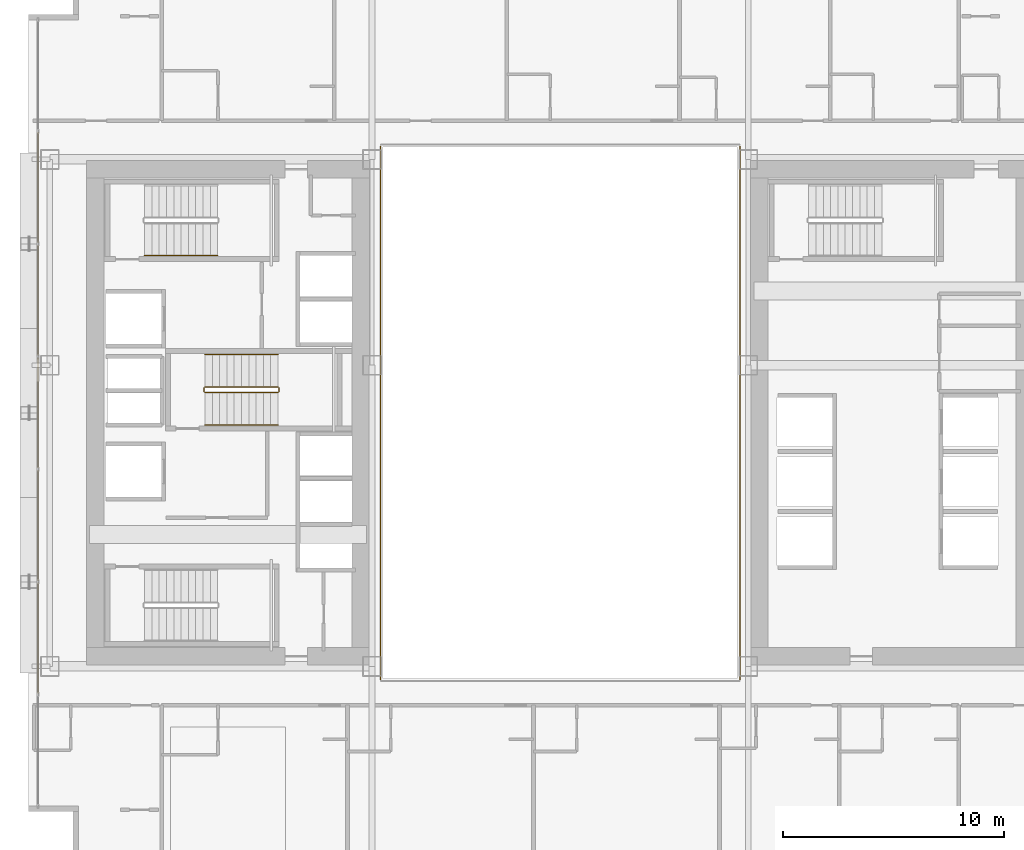
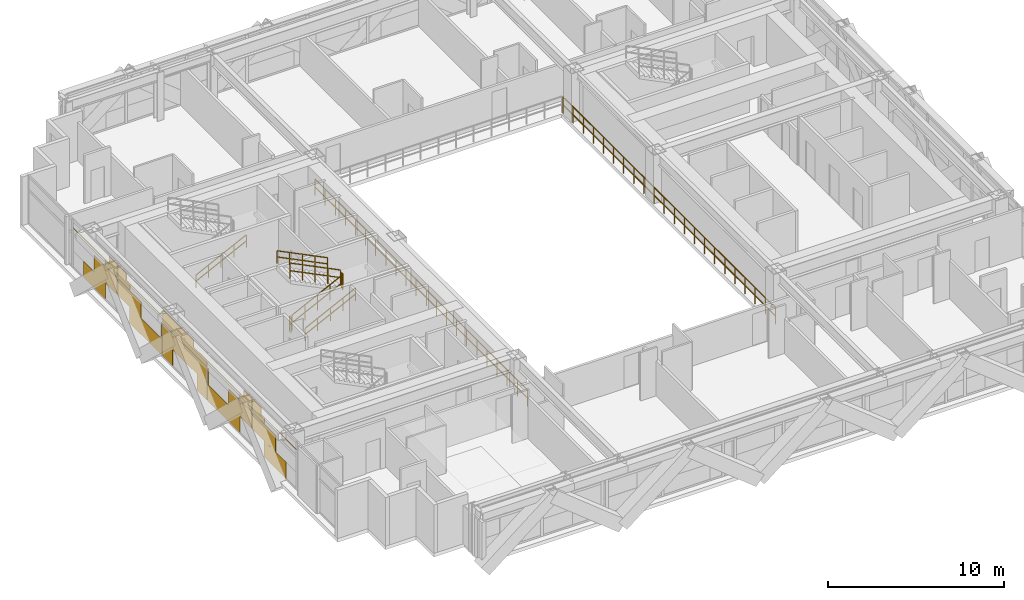
# One storey, part 33 of 35: 9 railings, 1 covering.
"""IFC4 building model written with IfcOpenShell, lengths in metres."""

from ifc_helpers import new_model, si_unit, direction, frame, origin, origin_2d, place, context, subcontext, project, spatial, rectangle, extrude, material, layer, layer_set, type_object, element, save


model = new_model("IFC4")

# Units and contexts
model_context = context("Model", 3, precision=1e-05, world=origin(), true_north=direction((0.0, 1.0)))
body_context = subcontext(model_context, "Body", "Model", "MODEL_VIEW")
ifc_project = project(units=[si_unit("LENGTHUNIT", "METRE"), si_unit("AREAUNIT", "SQUARE_METRE"), si_unit("VOLUMEUNIT", "CUBIC_METRE"), si_unit("PLANEANGLEUNIT", "RADIAN"), si_unit("MASSUNIT", "GRAM", prefix="KILO")], contexts=[model_context])

# Site, building, storey
site_placement = place(None, origin())
site = spatial("IfcSite", under=ifc_project, at=site_placement, CompositionType="ELEMENT")
building_placement = place(site_placement, origin())
building = spatial("IfcBuilding", under=site, at=building_placement, Name="Ocotamira Hotel", CompositionType="ELEMENT")
storey_placement = place(building_placement, frame((0.0, 0.0, 63.60009765625)))
storey = spatial("IfcBuildingStorey", under=building, at=storey_placement, Name="L15", CompositionType="ELEMENT", Elevation=63.60009765625)

# Covering
ifc_material_1 = material(Name="Insulated pale-metal aluminium spandrel panel", Category="aluminium")
ifc_layer = layer(ifc_material_1, 0.044921875)
ifc_layer_set = layer_set([ifc_layer], Name="Insulated pale-metal aluminium spandrel panel")
covering_type = type_object("IfcCoveringType", Name="COV-INFILL-45", PredefinedType="CLADDING", material=ifc_layer_set)
covering_placement = place(storey_placement, origin())
element("IfcCovering", 1, at=covering_placement, inside=storey, type_object=covering_type, Name="L15 Curtain Wall Infill CW-2 CW-L15-W", PredefinedType="CLADDING", context=body_context, shape_type="SweptSolid", body=[
    extrude(rectangle(XDim=2.49658203125, YDim=0.044921875, at=origin_2d()), frame((8.419921875, 15.752685546875, 0.0751953125), z_axis=(0.0, 0.0, 1.0), x_axis=(0.0, 1.0, 0.0)), (0.0, 0.0, 1.0), 1.117919921875),
    extrude(rectangle(XDim=2.640625, YDim=0.044921875, at=origin_2d()), frame((8.419921875, 17.010498046875, 1.194091796875), z_axis=(0.0, 0.0, 1.0), x_axis=(0.0, 1.0, 0.0)), (0.0, 0.0, 1.0), 1.11767578125),
    extrude(rectangle(XDim=5.004638671875, YDim=0.044921875, at=origin_2d()), frame((8.419921875, 15.82861328125, 2.755859375), z_axis=(0.0, 0.0, 1.0), x_axis=(0.0, 1.0, 0.0)), (0.0, 0.0, 1.0), 0.033203125),
    extrude(rectangle(XDim=1.375, YDim=0.044921875, at=origin_2d()), frame((8.419921875, 17.643310546875, 2.3876953125), z_axis=(0.0, 0.0, 1.0), x_axis=(0.0, 1.0, 0.0)), (0.0, 0.0, 1.0), 0.366943359375),
    extrude(rectangle(XDim=0.948486328125, YDim=0.044921875, at=origin_2d()), frame((8.419921875, 17.856689453125, 2.7900390625), z_axis=(0.0, 0.0, 1.0), x_axis=(0.0, 1.0, 0.0)), (0.0, 0.0, 1.0), 0.484130859375),
    extrude(rectangle(XDim=2.631103515625, YDim=0.044921875, at=origin_2d()), frame((8.419921875, 19.727294921875, 1.194091796875), z_axis=(0.0, 0.0, 1.0), x_axis=(0.0, 1.0, 0.0)), (0.0, 0.0, 1.0), 1.11767578125),
    extrude(rectangle(XDim=3.684326171875, YDim=0.044921875, at=origin_2d()), frame((8.419921875, 21.574462890625, 0.0751953125), z_axis=(0.0, 0.0, 1.0), x_axis=(0.0, 1.0, 0.0)), (0.0, 0.0, 1.0), 1.117919921875),
    extrude(rectangle(XDim=0.093017578125, YDim=0.044921875, at=origin_2d()), frame((8.419921875, 23.3701171875, 1.194091796875), z_axis=(0.0, 0.0, 1.0), x_axis=(0.0, 1.0, 0.0)), (0.0, 0.0, 1.0), 1.11767578125),
    extrude(rectangle(XDim=1.365478515625, YDim=0.044921875, at=origin_2d()), frame((8.419921875, 19.094482421875, 2.3876953125), z_axis=(0.0, 0.0, 1.0), x_axis=(0.0, 1.0, 0.0)), (0.0, 0.0, 1.0), 0.366943359375),
    extrude(rectangle(XDim=5.004638671875, YDim=0.044921875, at=origin_2d()), frame((8.419921875, 20.914306640625, 2.755859375), z_axis=(0.0, 0.0, 1.0), x_axis=(0.0, 1.0, 0.0)), (0.0, 0.0, 1.0), 0.033203125),
    extrude(rectangle(XDim=0.93896484375, YDim=0.044921875, at=origin_2d()), frame((8.419921875, 18.88134765625, 2.7900390625), z_axis=(0.0, 0.0, 1.0), x_axis=(0.0, 1.0, 0.0)), (0.0, 0.0, 1.0), 0.484130859375),
    extrude(rectangle(XDim=1.13671875, YDim=0.044921875, at=origin_2d()), frame((8.419921875, 24.06591796875, 0.0751953125), z_axis=(0.0, 0.0, 1.0), x_axis=(0.0, 1.0, 0.0)), (0.0, 0.0, 1.0), 1.117919921875),
    extrude(rectangle(XDim=5.004638671875, YDim=0.044921875, at=origin_2d()), frame((8.419921875, 26.0, 1.194091796875), z_axis=(0.0, 0.0, 1.0), x_axis=(0.0, 1.0, 0.0)), (0.0, 0.0, 1.0), 1.11767578125),
    extrude(rectangle(XDim=1.13671875, YDim=0.044921875, at=origin_2d()), frame((8.419921875, 27.93408203125, 0.0751953125), z_axis=(0.0, 0.0, 1.0), x_axis=(0.0, 1.0, 0.0)), (0.0, 0.0, 1.0), 1.117919921875),
    extrude(rectangle(XDim=5.004638671875, YDim=0.044921875, at=origin_2d()), frame((8.419921875, 26.0, 2.387939453125), z_axis=(0.0, 0.0, 1.0), x_axis=(0.0, 1.0, 0.0)), (0.0, 0.0, 1.0), 0.4013671875),
    extrude(rectangle(XDim=3.486572265625, YDim=0.044921875, at=origin_2d()), frame((8.419921875, 26.759033203125, 2.7900390625), z_axis=(0.0, 0.0, 1.0), x_axis=(0.0, 1.0, 0.0)), (0.0, 0.0, 1.0), 0.484130859375),
    extrude(rectangle(XDim=3.684326171875, YDim=0.044921875, at=origin_2d()), frame((8.419921875, 30.425537109375, 0.0751953125), z_axis=(0.0, 0.0, 1.0), x_axis=(0.0, 1.0, 0.0)), (0.0, 0.0, 1.0), 1.117919921875),
    extrude(rectangle(XDim=0.093017578125, YDim=0.044921875, at=origin_2d()), frame((8.419921875, 28.6298828125, 1.194091796875), z_axis=(0.0, 0.0, 1.0), x_axis=(0.0, 1.0, 0.0)), (0.0, 0.0, 1.0), 1.11767578125),
    extrude(rectangle(XDim=2.631103515625, YDim=0.044921875, at=origin_2d()), frame((8.419921875, 32.272705078125, 1.194091796875), z_axis=(0.0, 0.0, 1.0), x_axis=(0.0, 1.0, 0.0)), (0.0, 0.0, 1.0), 1.11767578125),
    extrude(rectangle(XDim=5.004638671875, YDim=0.044921875, at=origin_2d()), frame((8.419921875, 31.085693359375, 2.755859375), z_axis=(0.0, 0.0, 1.0), x_axis=(0.0, 1.0, 0.0)), (0.0, 0.0, 1.0), 0.033203125),
    extrude(rectangle(XDim=1.365478515625, YDim=0.044921875, at=origin_2d()), frame((8.419921875, 32.905517578125, 2.3876953125), z_axis=(0.0, 0.0, 1.0), x_axis=(0.0, 1.0, 0.0)), (0.0, 0.0, 1.0), 0.366943359375),
    extrude(rectangle(XDim=0.93896484375, YDim=0.044921875, at=origin_2d()), frame((8.419921875, 33.11865234375, 2.7900390625), z_axis=(0.0, 0.0, 1.0), x_axis=(0.0, 1.0, 0.0)), (0.0, 0.0, 1.0), 0.484130859375),
    extrude(rectangle(XDim=2.640625, YDim=0.044921875, at=origin_2d()), frame((8.419921875, 34.989501953125, 1.194091796875), z_axis=(0.0, 0.0, 1.0), x_axis=(0.0, 1.0, 0.0)), (0.0, 0.0, 1.0), 1.11767578125),
    extrude(rectangle(XDim=2.49658203125, YDim=0.044921875, at=origin_2d()), frame((8.419921875, 36.247314453125, 0.0751953125), z_axis=(0.0, 0.0, 1.0), x_axis=(0.0, 1.0, 0.0)), (0.0, 0.0, 1.0), 1.117919921875),
    extrude(rectangle(XDim=1.375, YDim=0.044921875, at=origin_2d()), frame((8.419921875, 34.356689453125, 2.3876953125), z_axis=(0.0, 0.0, 1.0), x_axis=(0.0, 1.0, 0.0)), (0.0, 0.0, 1.0), 0.366943359375),
    extrude(rectangle(XDim=5.004638671875, YDim=0.044921875, at=origin_2d()), frame((8.419921875, 36.17138671875, 2.755859375), z_axis=(0.0, 0.0, 1.0), x_axis=(0.0, 1.0, 0.0)), (0.0, 0.0, 1.0), 0.033203125),
    extrude(rectangle(XDim=0.948486328125, YDim=0.044921875, at=origin_2d()), frame((8.419921875, 34.143310546875, 2.7900390625), z_axis=(0.0, 0.0, 1.0), x_axis=(0.0, 1.0, 0.0)), (0.0, 0.0, 1.0), 0.484130859375),
])

# Railings
ifc_material_2 = material(Name="Painted steel stair guardrail", Category="steel")
railing_type_1 = type_object("IfcRailingType", Name="RL-EDGE-1150", PredefinedType="GUARDRAIL", material=ifc_material_2)
railing_1_placement = place(storey_placement, frame((40.1201171875, 13.9599609375, 0.0)))
element("IfcRailing", 2, at=railing_1_placement, inside=storey, type_object=railing_type_1, Name="L15 Central Atrium Edge Guardrail E", PredefinedType="GUARDRAIL", context=body_context, shape_type="SweptSolid", body=[
    extrude(rectangle(XDim=0.048095703125, YDim=0.048095703125, at=origin_2d()), frame((0.0, 0.0, 1.1259765625), z_axis=(0.0, 1.0, 0.0), x_axis=(-1.0, 0.0, 0.0)), (0.0, 0.0, 1.0), 24.080078125),
    extrude(rectangle(XDim=0.048095703125, YDim=0.048095703125, at=origin_2d()), frame((0.0, 0.0, 0.574951171875), z_axis=(0.0, 1.0, 0.0), x_axis=(-1.0, 0.0, 0.0)), (0.0, 0.0, 1.0), 24.080078125),
    extrude(rectangle(XDim=0.0419921875, YDim=0.0419921875, at=origin_2d()), origin(), (0.0, 0.0, 1.0), 1.101806640625),
    extrude(rectangle(XDim=0.0419921875, YDim=0.0419921875, at=origin_2d()), frame((0.0, 1.146728515625, 0.0)), (0.0, 0.0, 1.0), 1.101806640625),
    extrude(rectangle(XDim=0.0419921875, YDim=0.0419921875, at=origin_2d()), frame((0.0, 2.29345703125, 0.0)), (0.0, 0.0, 1.0), 1.101806640625),
    extrude(rectangle(XDim=0.0419921875, YDim=0.0419921875, at=origin_2d()), frame((0.0, 3.43994140625, 0.0)), (0.0, 0.0, 1.0), 1.101806640625),
    extrude(rectangle(XDim=0.0419921875, YDim=0.0419921875, at=origin_2d()), frame((0.0, 4.586669921875, 0.0)), (0.0, 0.0, 1.0), 1.101806640625),
    extrude(rectangle(XDim=0.0419921875, YDim=0.0419921875, at=origin_2d()), frame((0.0, 5.7333984375, 0.0)), (0.0, 0.0, 1.0), 1.101806640625),
    extrude(rectangle(XDim=0.0419921875, YDim=0.0419921875, at=origin_2d()), frame((0.0, 6.880126953125, 0.0)), (0.0, 0.0, 1.0), 1.101806640625),
    extrude(rectangle(XDim=0.0419921875, YDim=0.0419921875, at=origin_2d()), frame((0.0, 8.026611328125, 0.0)), (0.0, 0.0, 1.0), 1.101806640625),
    extrude(rectangle(XDim=0.0419921875, YDim=0.0419921875, at=origin_2d()), frame((0.0, 9.17333984375, 0.0)), (0.0, 0.0, 1.0), 1.101806640625),
    extrude(rectangle(XDim=0.0419921875, YDim=0.0419921875, at=origin_2d()), frame((0.0, 10.320068359375, 0.0)), (0.0, 0.0, 1.0), 1.101806640625),
    extrude(rectangle(XDim=0.0419921875, YDim=0.0419921875, at=origin_2d()), frame((0.0, 11.466796875, 0.0)), (0.0, 0.0, 1.0), 1.101806640625),
    extrude(rectangle(XDim=0.0419921875, YDim=0.0419921875, at=origin_2d()), frame((0.0, 12.61328125, 0.0)), (0.0, 0.0, 1.0), 1.101806640625),
    extrude(rectangle(XDim=0.0419921875, YDim=0.0419921875, at=origin_2d()), frame((0.0, 13.760009765625, 0.0)), (0.0, 0.0, 1.0), 1.101806640625),
    extrude(rectangle(XDim=0.0419921875, YDim=0.0419921875, at=origin_2d()), frame((0.0, 14.90673828125, 0.0)), (0.0, 0.0, 1.0), 1.101806640625),
    extrude(rectangle(XDim=0.0419921875, YDim=0.0419921875, at=origin_2d()), frame((0.0, 16.053466796875, 0.0)), (0.0, 0.0, 1.0), 1.101806640625),
    extrude(rectangle(XDim=0.0419921875, YDim=0.0419921875, at=origin_2d()), frame((0.0, 17.199951171875, 0.0)), (0.0, 0.0, 1.0), 1.101806640625),
    extrude(rectangle(XDim=0.0419921875, YDim=0.0419921875, at=origin_2d()), frame((0.0, 18.3466796875, 0.0)), (0.0, 0.0, 1.0), 1.101806640625),
    extrude(rectangle(XDim=0.0419921875, YDim=0.0419921875, at=origin_2d()), frame((0.0, 19.493408203125, 0.0)), (0.0, 0.0, 1.0), 1.101806640625),
    extrude(rectangle(XDim=0.0419921875, YDim=0.0419921875, at=origin_2d()), frame((0.0, 20.64013671875, 0.0)), (0.0, 0.0, 1.0), 1.101806640625),
    extrude(rectangle(XDim=0.0419921875, YDim=0.0419921875, at=origin_2d()), frame((0.0, 21.78662109375, 0.0)), (0.0, 0.0, 1.0), 1.101806640625),
    extrude(rectangle(XDim=0.0419921875, YDim=0.0419921875, at=origin_2d()), frame((0.0, 22.933349609375, 0.0)), (0.0, 0.0, 1.0), 1.101806640625),
    extrude(rectangle(XDim=0.0419921875, YDim=0.0419921875, at=origin_2d()), frame((0.0, 24.080078125, 0.0)), (0.0, 0.0, 1.0), 1.101806640625),
])
railing_2_placement = place(storey_placement, frame((23.8798828125, 38.0400390625, 0.0)))
element("IfcRailing", 3, at=railing_2_placement, inside=storey, type_object=railing_type_1, Name="L15 Central Atrium Edge Guardrail W", PredefinedType="GUARDRAIL", context=body_context, shape_type="SweptSolid", body=[
    extrude(rectangle(XDim=0.048095703125, YDim=0.048095703125, at=origin_2d()), frame((0.0, 0.0, 1.1259765625), z_axis=(0.0, -1.0, 0.0), x_axis=(1.0, 0.0, 0.0)), (0.0, 0.0, 1.0), 24.080078125),
    extrude(rectangle(XDim=0.048095703125, YDim=0.048095703125, at=origin_2d()), frame((0.0, 0.0, 0.574951171875), z_axis=(0.0, -1.0, 0.0), x_axis=(1.0, 0.0, 0.0)), (0.0, 0.0, 1.0), 24.080078125),
    extrude(rectangle(XDim=0.0419921875, YDim=0.0419921875, at=origin_2d()), origin(), (0.0, 0.0, 1.0), 1.101806640625),
    extrude(rectangle(XDim=0.0419921875, YDim=0.0419921875, at=origin_2d()), frame((0.0, -1.146728515625, 0.0)), (0.0, 0.0, 1.0), 1.101806640625),
    extrude(rectangle(XDim=0.0419921875, YDim=0.0419921875, at=origin_2d()), frame((0.0, -2.29345703125, 0.0)), (0.0, 0.0, 1.0), 1.101806640625),
    extrude(rectangle(XDim=0.0419921875, YDim=0.0419921875, at=origin_2d()), frame((0.0, -3.43994140625, 0.0)), (0.0, 0.0, 1.0), 1.101806640625),
    extrude(rectangle(XDim=0.0419921875, YDim=0.0419921875, at=origin_2d()), frame((0.0, -4.586669921875, 0.0)), (0.0, 0.0, 1.0), 1.101806640625),
    extrude(rectangle(XDim=0.0419921875, YDim=0.0419921875, at=origin_2d()), frame((0.0, -5.7333984375, 0.0)), (0.0, 0.0, 1.0), 1.101806640625),
    extrude(rectangle(XDim=0.0419921875, YDim=0.0419921875, at=origin_2d()), frame((0.0, -6.880126953125, 0.0)), (0.0, 0.0, 1.0), 1.101806640625),
    extrude(rectangle(XDim=0.0419921875, YDim=0.0419921875, at=origin_2d()), frame((0.0, -8.026611328125, 0.0)), (0.0, 0.0, 1.0), 1.101806640625),
    extrude(rectangle(XDim=0.0419921875, YDim=0.0419921875, at=origin_2d()), frame((0.0, -9.17333984375, 0.0)), (0.0, 0.0, 1.0), 1.101806640625),
    extrude(rectangle(XDim=0.0419921875, YDim=0.0419921875, at=origin_2d()), frame((0.0, -10.320068359375, 0.0)), (0.0, 0.0, 1.0), 1.101806640625),
    extrude(rectangle(XDim=0.0419921875, YDim=0.0419921875, at=origin_2d()), frame((0.0, -11.466796875, 0.0)), (0.0, 0.0, 1.0), 1.101806640625),
    extrude(rectangle(XDim=0.0419921875, YDim=0.0419921875, at=origin_2d()), frame((0.0, -12.61328125, 0.0)), (0.0, 0.0, 1.0), 1.101806640625),
    extrude(rectangle(XDim=0.0419921875, YDim=0.0419921875, at=origin_2d()), frame((0.0, -13.760009765625, 0.0)), (0.0, 0.0, 1.0), 1.101806640625),
    extrude(rectangle(XDim=0.0419921875, YDim=0.0419921875, at=origin_2d()), frame((0.0, -14.90673828125, 0.0)), (0.0, 0.0, 1.0), 1.101806640625),
    extrude(rectangle(XDim=0.0419921875, YDim=0.0419921875, at=origin_2d()), frame((0.0, -16.053466796875, 0.0)), (0.0, 0.0, 1.0), 1.101806640625),
    extrude(rectangle(XDim=0.0419921875, YDim=0.0419921875, at=origin_2d()), frame((0.0, -17.199951171875, 0.0)), (0.0, 0.0, 1.0), 1.101806640625),
    extrude(rectangle(XDim=0.0419921875, YDim=0.0419921875, at=origin_2d()), frame((0.0, -18.3466796875, 0.0)), (0.0, 0.0, 1.0), 1.101806640625),
    extrude(rectangle(XDim=0.0419921875, YDim=0.0419921875, at=origin_2d()), frame((0.0, -19.493408203125, 0.0)), (0.0, 0.0, 1.0), 1.101806640625),
    extrude(rectangle(XDim=0.0419921875, YDim=0.0419921875, at=origin_2d()), frame((0.0, -20.64013671875, 0.0)), (0.0, 0.0, 1.0), 1.101806640625),
    extrude(rectangle(XDim=0.0419921875, YDim=0.0419921875, at=origin_2d()), frame((0.0, -21.78662109375, 0.0)), (0.0, 0.0, 1.0), 1.101806640625),
    extrude(rectangle(XDim=0.0419921875, YDim=0.0419921875, at=origin_2d()), frame((0.0, -22.933349609375, 0.0)), (0.0, 0.0, 1.0), 1.101806640625),
    extrude(rectangle(XDim=0.0419921875, YDim=0.0419921875, at=origin_2d()), frame((0.0, -24.080078125, 0.0)), (0.0, 0.0, 1.0), 1.101806640625),
])
ifc_material_3 = material(Name="Brushed stainless steel handrail", Category="steel")
railing_type_2 = type_object("IfcRailingType", Name="RL-HAND-900", PredefinedType="HANDRAIL", material=ifc_material_3)
for number, where, name in (
    (4, (13.22998046875, 33.10009765625, 0.3271484375), "L15 ST-2 stair handrail 1"),
    (5, (15.9599609375, 25.449951171875, 0.3271484375), "L15 ST-3 stair handrail 1"),
):
    element("IfcRailing", number, at=place(storey_placement, frame(where)), inside=storey, type_object=railing_type_2, Name=name, PredefinedType="HANDRAIL", context=body_context, shape_type="SweptSolid", body=[
        extrude(rectangle(XDim=0.048095703125, YDim=0.048095703125, at=origin_2d()), frame((0.0, 0.0, 0.8759765625), z_axis=(0.895893744519, 0.0, 0.4442683857), x_axis=(0.0, 1.0, 0.0)), (0.0, 0.0, 1.0), 3.68359375),
        extrude(rectangle(XDim=0.048095703125, YDim=0.048095703125, at=origin_2d()), frame((0.0, 0.0, 0.449951171875), z_axis=(0.895893744519, 0.0, 0.4442683857), x_axis=(0.0, 1.0, 0.0)), (0.0, 0.0, 1.0), 3.68359375),
        extrude(rectangle(XDim=0.0419921875, YDim=0.0419921875, at=origin_2d()), origin(), (0.0, 0.0, 1.0), 0.851806640625),
        extrude(rectangle(XDim=0.0419921875, YDim=0.0419921875, at=origin_2d()), frame((0.824951171875, 0.0, 0.4091796875)), (0.0, 0.0, 1.0), 0.851806640625),
        extrude(rectangle(XDim=0.0419921875, YDim=0.0419921875, at=origin_2d()), frame((1.64990234375, 0.0, 0.818359375)), (0.0, 0.0, 1.0), 0.851806640625),
        extrude(rectangle(XDim=0.0419921875, YDim=0.0419921875, at=origin_2d()), frame((2.47509765625, 0.0, 1.227294921875)), (0.0, 0.0, 1.0), 0.851806640625),
        extrude(rectangle(XDim=0.0419921875, YDim=0.0419921875, at=origin_2d()), frame((3.300048828125, 0.0, 1.636474609375)), (0.0, 0.0, 1.0), 0.851806640625),
    ])
railing_3_placement = place(storey_placement, frame((19.260009765625, 28.6298828125, 2.127197265625)))
element("IfcRailing", 6, at=railing_3_placement, inside=storey, type_object=railing_type_2, Name="L15 ST-3 stair handrail 2", PredefinedType="HANDRAIL", context=body_context, shape_type="SweptSolid", body=[
    extrude(rectangle(XDim=0.048095703125, YDim=0.048095703125, at=origin_2d()), frame((0.0, 0.0, 0.8759765625), z_axis=(-0.895920123917, 0.0, 0.444215186098), x_axis=(0.0, -1.0, 0.0)), (0.0, 0.0, 1.0), 3.683349609375),
    extrude(rectangle(XDim=0.048095703125, YDim=0.048095703125, at=origin_2d()), frame((0.0, 0.0, 0.449951171875), z_axis=(-0.895920123917, 0.0, 0.444215186098), x_axis=(0.0, -1.0, 0.0)), (0.0, 0.0, 1.0), 3.683349609375),
    extrude(rectangle(XDim=0.0419921875, YDim=0.0419921875, at=origin_2d()), origin(), (0.0, 0.0, 1.0), 0.851806640625),
    extrude(rectangle(XDim=0.0419921875, YDim=0.0419921875, at=origin_2d()), frame((-0.824951171875, 0.0, 0.4091796875)), (0.0, 0.0, 1.0), 0.851806640625),
    extrude(rectangle(XDim=0.0419921875, YDim=0.0419921875, at=origin_2d()), frame((-1.64990234375, 0.0, 0.818115234375)), (0.0, 0.0, 1.0), 0.851806640625),
    extrude(rectangle(XDim=0.0419921875, YDim=0.0419921875, at=origin_2d()), frame((-2.47509765625, 0.0, 1.22705078125)), (0.0, 0.0, 1.0), 0.851806640625),
    extrude(rectangle(XDim=0.0419921875, YDim=0.0419921875, at=origin_2d()), frame((-3.300048828125, 0.0, 1.63623046875)), (0.0, 0.0, 1.0), 0.851806640625),
])
railing_type_3 = type_object("IfcRailingType", Name="RL-STAIR-1100", PredefinedType="GUARDRAIL", material=ifc_material_2)
railing_4_placement = place(storey_placement, frame((15.9599609375, 26.909912109375, 0.16357421875)))
element("IfcRailing", 7, at=railing_4_placement, inside=storey, type_object=railing_type_3, Name="L15 ST-3 stair guard 1", PredefinedType="GUARDRAIL", context=body_context, shape_type="SweptSolid", body=[
    extrude(rectangle(XDim=0.048095703125, YDim=0.048095703125, at=origin_2d()), frame((0.0, 0.0, 1.076171875), z_axis=(0.895920123917, 0.0, 0.444215186098), x_axis=(0.0, 1.0, 0.0)), (0.0, 0.0, 1.0), 3.683349609375),
    extrude(rectangle(XDim=0.048095703125, YDim=0.048095703125, at=origin_2d()), frame((0.0, 0.0, 0.550048828125), z_axis=(0.895920123917, 0.0, 0.444215186098), x_axis=(0.0, 1.0, 0.0)), (0.0, 0.0, 1.0), 3.683349609375),
    extrude(rectangle(XDim=0.0419921875, YDim=0.0419921875, at=origin_2d()), origin(), (0.0, 0.0, 1.0), 1.052001953125),
    extrude(rectangle(XDim=0.0419921875, YDim=0.0419921875, at=origin_2d()), frame((0.824951171875, 0.0, 0.4091796875)), (0.0, 0.0, 1.0), 1.052001953125),
    extrude(rectangle(XDim=0.0419921875, YDim=0.0419921875, at=origin_2d()), frame((1.64990234375, 0.0, 0.818115234375)), (0.0, 0.0, 1.0), 1.052001953125),
    extrude(rectangle(XDim=0.0419921875, YDim=0.0419921875, at=origin_2d()), frame((2.47509765625, 0.0, 1.22705078125)), (0.0, 0.0, 1.0), 1.052001953125),
    extrude(rectangle(XDim=0.0419921875, YDim=0.0419921875, at=origin_2d()), frame((3.300048828125, 0.0, 1.63623046875)), (0.0, 0.0, 1.0), 1.052001953125),
])
railing_5_placement = place(storey_placement, frame((19.31005859375, 26.9599609375, 1.7998046875)))
element("IfcRailing", 8, at=railing_5_placement, inside=storey, type_object=railing_type_3, Name="L15 ST-3 stair guard 2", PredefinedType="GUARDRAIL", context=body_context, shape_type="SweptSolid", body=[
    extrude(rectangle(XDim=0.048095703125, YDim=0.048095703125, at=origin_2d()), frame((0.0, 0.0, 1.076171875), z_axis=(0.0, 1.0, 0.0), x_axis=(-1.0, 0.0, 0.0)), (0.0, 0.0, 1.0), 0.16015625),
    extrude(rectangle(XDim=0.048095703125, YDim=0.048095703125, at=origin_2d()), frame((0.0, 0.0, 0.550048828125), z_axis=(0.0, 1.0, 0.0), x_axis=(-1.0, 0.0, 0.0)), (0.0, 0.0, 1.0), 0.16015625),
    extrude(rectangle(XDim=0.0419921875, YDim=0.0419921875, at=origin_2d()), origin(), (0.0, 0.0, 1.0), 1.052001953125),
    extrude(rectangle(XDim=0.0419921875, YDim=0.0419921875, at=origin_2d()), frame((0.0, 0.16015625, 0.0)), (0.0, 0.0, 1.0), 1.052001953125),
])
railing_6_placement = place(storey_placement, frame((19.260009765625, 27.169921875, 1.963623046875)))
element("IfcRailing", 9, at=railing_6_placement, inside=storey, type_object=railing_type_3, Name="L15 ST-3 stair guard 3", PredefinedType="GUARDRAIL", context=body_context, shape_type="SweptSolid", body=[
    extrude(rectangle(XDim=0.048095703125, YDim=0.048095703125, at=origin_2d()), frame((0.0, 0.0, 1.076171875), z_axis=(-0.895920123917, 0.0, 0.444215186098), x_axis=(0.0, -1.0, 0.0)), (0.0, 0.0, 1.0), 3.683349609375),
    extrude(rectangle(XDim=0.048095703125, YDim=0.048095703125, at=origin_2d()), frame((0.0, 0.0, 0.550048828125), z_axis=(-0.895920123917, 0.0, 0.444215186098), x_axis=(0.0, -1.0, 0.0)), (0.0, 0.0, 1.0), 3.683349609375),
    extrude(rectangle(XDim=0.0419921875, YDim=0.0419921875, at=origin_2d()), origin(), (0.0, 0.0, 1.0), 1.052001953125),
    extrude(rectangle(XDim=0.0419921875, YDim=0.0419921875, at=origin_2d()), frame((-0.824951171875, 0.0, 0.4091796875)), (0.0, 0.0, 1.0), 1.052001953125),
    extrude(rectangle(XDim=0.0419921875, YDim=0.0419921875, at=origin_2d()), frame((-1.64990234375, 0.0, 0.818115234375)), (0.0, 0.0, 1.0), 1.052001953125),
    extrude(rectangle(XDim=0.0419921875, YDim=0.0419921875, at=origin_2d()), frame((-2.47509765625, 0.0, 1.22705078125)), (0.0, 0.0, 1.0), 1.052001953125),
    extrude(rectangle(XDim=0.0419921875, YDim=0.0419921875, at=origin_2d()), frame((-3.300048828125, 0.0, 1.63623046875)), (0.0, 0.0, 1.0), 1.052001953125),
])
railing_7_placement = place(storey_placement, frame((15.909912109375, 26.9599609375, 0.0)))
element("IfcRailing", 10, at=railing_7_placement, inside=storey, type_object=railing_type_3, Name="L15 ST-3 stair guard 4", PredefinedType="GUARDRAIL", context=body_context, shape_type="SweptSolid", body=[
    extrude(rectangle(XDim=0.048095703125, YDim=0.048095703125, at=origin_2d()), frame((0.0, 0.0, 1.076171875), z_axis=(0.0, 1.0, 0.0), x_axis=(-1.0, 0.0, 0.0)), (0.0, 0.0, 1.0), 0.16015625),
    extrude(rectangle(XDim=0.048095703125, YDim=0.048095703125, at=origin_2d()), frame((0.0, 0.0, 0.550048828125), z_axis=(0.0, 1.0, 0.0), x_axis=(-1.0, 0.0, 0.0)), (0.0, 0.0, 1.0), 0.16015625),
    extrude(rectangle(XDim=0.0419921875, YDim=0.0419921875, at=origin_2d()), origin(), (0.0, 0.0, 1.0), 1.052001953125),
    extrude(rectangle(XDim=0.0419921875, YDim=0.0419921875, at=origin_2d()), frame((0.0, 0.16015625, 0.0)), (0.0, 0.0, 1.0), 1.052001953125),
])

save(model, "model.ifc")
